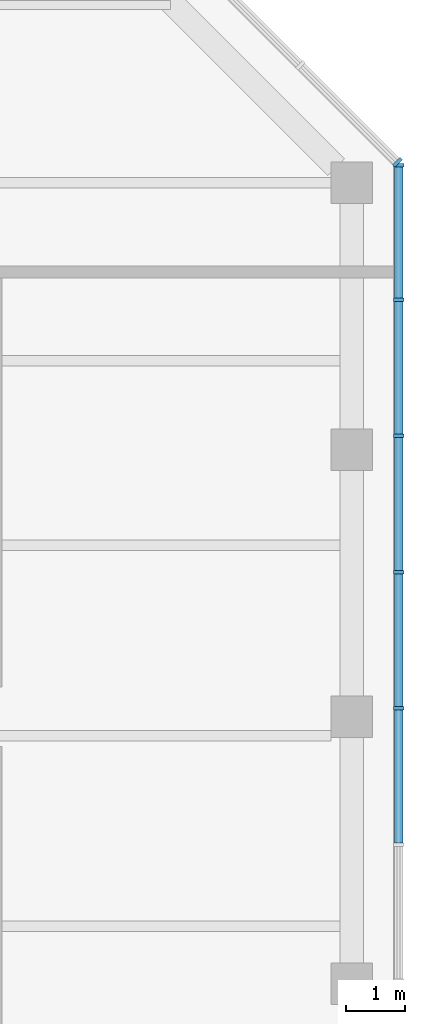
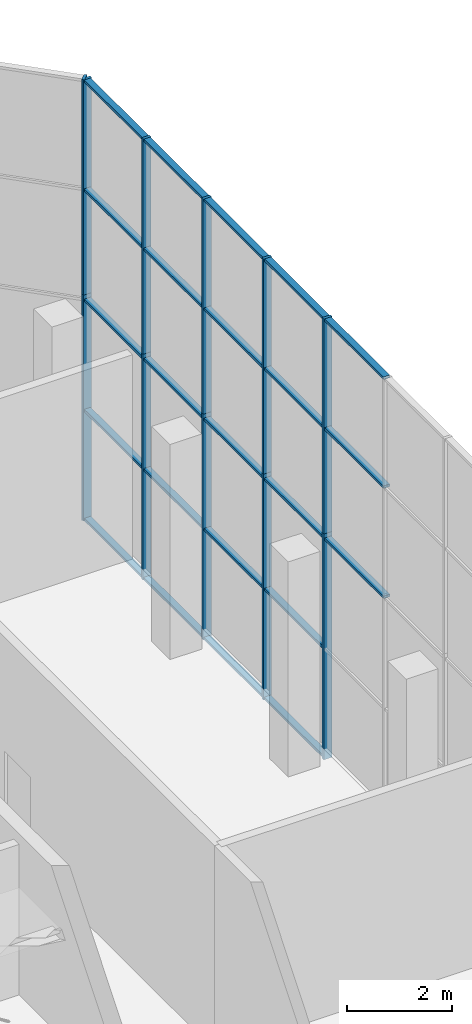
# One storey, part 11 of 19: 35 members, 2 elements without a shape of their own.
"""IFC4 building model written with IfcOpenShell, lengths in metres."""

from ifc_helpers import new_model, si_unit, direction, frame, origin, origin_2d, place, context, subcontext, project, spatial, rectangle, extrude, material, constituent, constituent_set, material_profile, profile_set, type_object, element, aggregate, save


model = new_model("IFC4")

# Units and contexts
model_context = context("Model", 3, precision=1e-05, world=origin(), true_north=direction((0.0, 1.0)))
body_context = subcontext(model_context, "Body", "Model", "MODEL_VIEW")
ifc_project = project(units=[si_unit("LENGTHUNIT", "METRE"), si_unit("AREAUNIT", "SQUARE_METRE"), si_unit("VOLUMEUNIT", "CUBIC_METRE"), si_unit("PLANEANGLEUNIT", "RADIAN"), si_unit("MASSUNIT", "GRAM", prefix="KILO")], contexts=[model_context])

# Site, building, storey
site_placement = place(None, origin())
site = spatial("IfcSite", under=ifc_project, at=site_placement, CompositionType="ELEMENT")
building_placement = place(site_placement, origin())
building = spatial("IfcBuilding", under=site, at=building_placement, Name="Quoin Convention Tower", CompositionType="ELEMENT")
storey_placement = place(building_placement, frame((0.0, 0.0, 263.699951171875)))
storey = spatial("IfcBuildingStorey", under=building, at=storey_placement, Name="L69", CompositionType="ELEMENT", Elevation=263.699951171875)

# Curtain wall, members
ifc_material_1 = material(Name="Aluminium", Category="aluminium")
ifc_constituent_1 = constituent(ifc_material_1, Name="Frame")
ifc_material_2 = material(Name="Insulated glass", Category="glass")
ifc_constituent_2 = constituent(ifc_material_2, Name="Glazing")
ifc_constituent_set = constituent_set(constituents=[ifc_constituent_1, ifc_constituent_2], Name="Aluminium")
curtain_wall_type = type_object("IfcCurtainWallType", Name="Lantern wall system", PredefinedType="NOTDEFINED", material=ifc_constituent_set)
curtain_wall_1_placement = place(storey_placement, origin())
curtain_wall_1 = element("IfcCurtainWall", 1, at=curtain_wall_1_placement, inside=storey, type_object=curtain_wall_type, Name="crn-LNW-76500_45000", PredefinedType="NOTDEFINED")
ifc_material_profile_1 = material_profile(ifc_material_1, rectangle(XDim=0.179931640625, YDim=0.06005859375, at=origin_2d()), Name="Lantern wall mullion 60x180")
ifc_profile_set_1 = profile_set([ifc_material_profile_1], Name="Aluminium")
member_type_1 = type_object("IfcMemberType", Name="Lantern wall mullion 60x180", PredefinedType="MULLION", material=ifc_profile_set_1)
member_1_placement = place(storey_placement, frame((77.2900390625, 67.64013671875, -0.25), z_axis=(0.0, 0.0, 1.0), x_axis=(-1.0, 0.0, 0.0)))
member_1 = element("IfcMember", 2, at=member_1_placement, type_object=member_type_1, Name="CW5 mullion 11", PredefinedType="MULLION", context=body_context, shape_type="SweptSolid", body=[
    extrude(rectangle(XDim=0.179931640625, YDim=0.06005859375, at=origin_2d()), origin(), (0.0, 0.0, 1.0), 5.25),
])
member_2_placement = place(storey_placement, frame((77.2900390625, 69.93701171875, -0.25), z_axis=(0.0, 0.0, 1.0), x_axis=(-1.0, 0.0, 0.0)))
member_2 = element("IfcMember", 3, at=member_2_placement, type_object=member_type_1, Name="CW5 mullion 12", PredefinedType="MULLION", context=body_context, shape_type="SweptSolid", body=[
    extrude(rectangle(XDim=0.179931640625, YDim=0.06005859375, at=origin_2d()), origin(), (0.0, 0.0, 1.0), 5.25),
])
member_3_placement = place(storey_placement, frame((77.2900390625, 72.233642578125, -0.25), z_axis=(0.0, 0.0, 1.0), x_axis=(-1.0, 0.0, 0.0)))
member_3 = element("IfcMember", 4, at=member_3_placement, type_object=member_type_1, Name="CW5 mullion 13", PredefinedType="MULLION", context=body_context, shape_type="SweptSolid", body=[
    extrude(rectangle(XDim=0.179931640625, YDim=0.06005859375, at=origin_2d()), origin(), (0.0, 0.0, 1.0), 5.25),
])
member_4_placement = place(storey_placement, frame((77.2900390625, 74.530517578125, -0.25), z_axis=(0.0, 0.0, 1.0), x_axis=(-1.0, 0.0, 0.0)))
member_4 = element("IfcMember", 5, at=member_4_placement, type_object=member_type_1, Name="CW5 mullion 14", PredefinedType="MULLION", context=body_context, shape_type="SweptSolid", body=[
    extrude(rectangle(XDim=0.179931640625, YDim=0.06005859375, at=origin_2d()), origin(), (0.0, 0.0, 1.0), 5.25),
])
member_5_placement = place(storey_placement, frame((77.2900390625, 76.797119140625, -0.25), z_axis=(0.0, 0.0, 1.0), x_axis=(-1.0, 0.0, 0.0)))
member_5 = element("IfcMember", 6, at=member_5_placement, type_object=member_type_1, Name="CW5 mullion 15", PredefinedType="MULLION", context=body_context, shape_type="SweptSolid", body=[
    extrude(rectangle(XDim=0.179931640625, YDim=0.06005859375, at=origin_2d()), origin(), (0.0, 0.0, 1.0), 5.25),
])
member_6_placement = place(storey_placement, frame((77.2900390625, 67.64013671875, 5.0), z_axis=(0.0, 0.0, 1.0), x_axis=(-1.0, 0.0, 0.0)))
member_6 = element("IfcMember", 7, at=member_6_placement, type_object=member_type_1, Name="CW5 mullion 11", PredefinedType="MULLION", context=body_context, shape_type="SweptSolid", body=[
    extrude(rectangle(XDim=0.179931640625, YDim=0.06005859375, at=origin_2d()), origin(), (0.0, 0.0, 1.0), 5.0),
])
member_7_placement = place(storey_placement, frame((77.2900390625, 69.93701171875, 5.0), z_axis=(0.0, 0.0, 1.0), x_axis=(-1.0, 0.0, 0.0)))
member_7 = element("IfcMember", 8, at=member_7_placement, type_object=member_type_1, Name="CW5 mullion 12", PredefinedType="MULLION", context=body_context, shape_type="SweptSolid", body=[
    extrude(rectangle(XDim=0.179931640625, YDim=0.06005859375, at=origin_2d()), origin(), (0.0, 0.0, 1.0), 5.0),
])
member_8_placement = place(storey_placement, frame((77.2900390625, 72.233642578125, 5.0), z_axis=(0.0, 0.0, 1.0), x_axis=(-1.0, 0.0, 0.0)))
member_8 = element("IfcMember", 9, at=member_8_placement, type_object=member_type_1, Name="CW5 mullion 13", PredefinedType="MULLION", context=body_context, shape_type="SweptSolid", body=[
    extrude(rectangle(XDim=0.179931640625, YDim=0.06005859375, at=origin_2d()), origin(), (0.0, 0.0, 1.0), 5.0),
])
member_9_placement = place(storey_placement, frame((77.2900390625, 74.530517578125, 5.0), z_axis=(0.0, 0.0, 1.0), x_axis=(-1.0, 0.0, 0.0)))
member_9 = element("IfcMember", 10, at=member_9_placement, type_object=member_type_1, Name="CW5 mullion 14", PredefinedType="MULLION", context=body_context, shape_type="SweptSolid", body=[
    extrude(rectangle(XDim=0.179931640625, YDim=0.06005859375, at=origin_2d()), origin(), (0.0, 0.0, 1.0), 5.0),
])
member_10_placement = place(storey_placement, frame((77.2900390625, 76.797119140625, 5.0), z_axis=(0.0, 0.0, 1.0), x_axis=(-1.0, 0.0, 0.0)))
member_10 = element("IfcMember", 11, at=member_10_placement, type_object=member_type_1, Name="CW5 mullion 15", PredefinedType="MULLION", context=body_context, shape_type="SweptSolid", body=[
    extrude(rectangle(XDim=0.179931640625, YDim=0.06005859375, at=origin_2d()), origin(), (0.0, 0.0, 1.0), 5.0),
])

curtain_wall_2_placement = place(storey_placement, origin())
curtain_wall_2 = element("IfcCurtainWall", 12, at=curtain_wall_2_placement, inside=storey, type_object=curtain_wall_type, Name="crn-LNW-76500_76500", PredefinedType="NOTDEFINED")
member_11_placement = place(storey_placement, frame((77.268798828125, 76.848388671875, -0.25), z_axis=(0.0, 0.0, 1.0), x_axis=(-0.707106781187, -0.707106781187, 0.0)))
member_11 = element("IfcMember", 13, at=member_11_placement, type_object=member_type_1, Name="CW5 mullion 1", PredefinedType="MULLION", context=body_context, shape_type="SweptSolid", body=[
    extrude(rectangle(XDim=0.179931640625, YDim=0.06005859375, at=origin_2d()), origin(), (0.0, 0.0, 1.0), 5.25),
])
member_12_placement = place(storey_placement, frame((77.268798828125, 76.848388671875, 5.0), z_axis=(0.0, 0.0, 1.0), x_axis=(-0.707106781187, -0.707106781187, 0.0)))
member_12 = element("IfcMember", 14, at=member_12_placement, type_object=member_type_1, Name="CW5 mullion 1", PredefinedType="MULLION", context=body_context, shape_type="SweptSolid", body=[
    extrude(rectangle(XDim=0.179931640625, YDim=0.06005859375, at=origin_2d()), origin(), (0.0, 0.0, 1.0), 5.0),
])
aggregate(curtain_wall_2, [member_11, member_12])

# Member
ifc_material_profile_2 = material_profile(ifc_material_1, rectangle(XDim=0.139892578125, YDim=0.06005859375, at=origin_2d()), Name="Lantern wall transom 60x140")
ifc_profile_set_2 = profile_set([ifc_material_profile_2], Name="Aluminium")
member_type_2 = type_object("IfcMemberType", Name="Lantern wall transom 60x140", PredefinedType="USERDEFINED", material=ifc_profile_set_2)
member_13_placement = place(storey_placement, frame((77.2900390625, 65.37353515625, 4.875), z_axis=(0.0, 1.0, 0.0), x_axis=(-1.0, 0.0, 0.0)))
member_13 = element("IfcMember", 15, at=member_13_placement, type_object=member_type_2, Name="CW5 transom 10.3", ObjectType="TRANSOM", PredefinedType="USERDEFINED", context=body_context, shape_type="SweptSolid", body=[
    extrude(rectangle(XDim=0.139892578125, YDim=0.06005859375, at=origin_2d()), origin(), (0.0, 0.0, 1.0), 2.236572265625),
])

member_14_placement = place(storey_placement, frame((77.2900390625, 65.37353515625, 7.4375), z_axis=(0.0, 1.0, 0.0), x_axis=(-1.0, 0.0, 0.0)))
member_14 = element("IfcMember", 16, at=member_14_placement, type_object=member_type_2, Name="CW5 transom 10.4", ObjectType="TRANSOM", PredefinedType="USERDEFINED", context=body_context, shape_type="SweptSolid", body=[
    extrude(rectangle(XDim=0.139892578125, YDim=0.06005859375, at=origin_2d()), origin(), (0.0, 0.0, 1.0), 2.236572265625),
])

member_15_placement = place(storey_placement, frame((77.2900390625, 65.37353515625, 9.969970703125), z_axis=(0.0, 1.0, 0.0), x_axis=(-1.0, 0.0, 0.0)))
member_15 = element("IfcMember", 17, at=member_15_placement, type_object=member_type_2, Name="CW5 transom 10.5", ObjectType="TRANSOM", PredefinedType="USERDEFINED", context=body_context, shape_type="SweptSolid", body=[
    extrude(rectangle(XDim=0.139892578125, YDim=0.06005859375, at=origin_2d()), origin(), (0.0, 0.0, 1.0), 2.236572265625),
])

member_16_placement = place(storey_placement, frame((77.2900390625, 67.670166015625, -0.219970703125), z_axis=(0.0, 1.0, 0.0), x_axis=(-1.0, 0.0, 0.0)))
member_16 = element("IfcMember", 18, at=member_16_placement, type_object=member_type_2, Name="CW5 transom 11.1", ObjectType="TRANSOM", PredefinedType="USERDEFINED", context=body_context, shape_type="SweptSolid", body=[
    extrude(rectangle(XDim=0.139892578125, YDim=0.06005859375, at=origin_2d()), origin(), (0.0, 0.0, 1.0), 2.23681640625),
])

member_17_placement = place(storey_placement, frame((77.2900390625, 67.670166015625, 2.3125), z_axis=(0.0, 1.0, 0.0), x_axis=(-1.0, 0.0, 0.0)))
member_17 = element("IfcMember", 19, at=member_17_placement, type_object=member_type_2, Name="CW5 transom 11.2", ObjectType="TRANSOM", PredefinedType="USERDEFINED", context=body_context, shape_type="SweptSolid", body=[
    extrude(rectangle(XDim=0.139892578125, YDim=0.06005859375, at=origin_2d()), origin(), (0.0, 0.0, 1.0), 2.23681640625),
])

member_18_placement = place(storey_placement, frame((77.2900390625, 67.670166015625, 4.875), z_axis=(0.0, 1.0, 0.0), x_axis=(-1.0, 0.0, 0.0)))
member_18 = element("IfcMember", 20, at=member_18_placement, type_object=member_type_2, Name="CW5 transom 11.3", ObjectType="TRANSOM", PredefinedType="USERDEFINED", context=body_context, shape_type="SweptSolid", body=[
    extrude(rectangle(XDim=0.139892578125, YDim=0.06005859375, at=origin_2d()), origin(), (0.0, 0.0, 1.0), 2.23681640625),
])

member_19_placement = place(storey_placement, frame((77.2900390625, 67.670166015625, 7.4375), z_axis=(0.0, 1.0, 0.0), x_axis=(-1.0, 0.0, 0.0)))
member_19 = element("IfcMember", 21, at=member_19_placement, type_object=member_type_2, Name="CW5 transom 11.4", ObjectType="TRANSOM", PredefinedType="USERDEFINED", context=body_context, shape_type="SweptSolid", body=[
    extrude(rectangle(XDim=0.139892578125, YDim=0.06005859375, at=origin_2d()), origin(), (0.0, 0.0, 1.0), 2.23681640625),
])

member_20_placement = place(storey_placement, frame((77.2900390625, 67.670166015625, 9.969970703125), z_axis=(0.0, 1.0, 0.0), x_axis=(-1.0, 0.0, 0.0)))
member_20 = element("IfcMember", 22, at=member_20_placement, type_object=member_type_2, Name="CW5 transom 11.5", ObjectType="TRANSOM", PredefinedType="USERDEFINED", context=body_context, shape_type="SweptSolid", body=[
    extrude(rectangle(XDim=0.139892578125, YDim=0.06005859375, at=origin_2d()), origin(), (0.0, 0.0, 1.0), 2.23681640625),
])

member_21_placement = place(storey_placement, frame((77.2900390625, 69.967041015625, -0.219970703125), z_axis=(0.0, 1.0, 0.0), x_axis=(-1.0, 0.0, 0.0)))
member_21 = element("IfcMember", 23, at=member_21_placement, type_object=member_type_2, Name="CW5 transom 12.1", ObjectType="TRANSOM", PredefinedType="USERDEFINED", context=body_context, shape_type="SweptSolid", body=[
    extrude(rectangle(XDim=0.139892578125, YDim=0.06005859375, at=origin_2d()), origin(), (0.0, 0.0, 1.0), 2.236572265625),
])

member_22_placement = place(storey_placement, frame((77.2900390625, 69.967041015625, 2.3125), z_axis=(0.0, 1.0, 0.0), x_axis=(-1.0, 0.0, 0.0)))
member_22 = element("IfcMember", 24, at=member_22_placement, type_object=member_type_2, Name="CW5 transom 12.2", ObjectType="TRANSOM", PredefinedType="USERDEFINED", context=body_context, shape_type="SweptSolid", body=[
    extrude(rectangle(XDim=0.139892578125, YDim=0.06005859375, at=origin_2d()), origin(), (0.0, 0.0, 1.0), 2.236572265625),
])

member_23_placement = place(storey_placement, frame((77.2900390625, 69.967041015625, 4.875), z_axis=(0.0, 1.0, 0.0), x_axis=(-1.0, 0.0, 0.0)))
member_23 = element("IfcMember", 25, at=member_23_placement, type_object=member_type_2, Name="CW5 transom 12.3", ObjectType="TRANSOM", PredefinedType="USERDEFINED", context=body_context, shape_type="SweptSolid", body=[
    extrude(rectangle(XDim=0.139892578125, YDim=0.06005859375, at=origin_2d()), origin(), (0.0, 0.0, 1.0), 2.236572265625),
])

member_24_placement = place(storey_placement, frame((77.2900390625, 69.967041015625, 7.4375), z_axis=(0.0, 1.0, 0.0), x_axis=(-1.0, 0.0, 0.0)))
member_24 = element("IfcMember", 26, at=member_24_placement, type_object=member_type_2, Name="CW5 transom 12.4", ObjectType="TRANSOM", PredefinedType="USERDEFINED", context=body_context, shape_type="SweptSolid", body=[
    extrude(rectangle(XDim=0.139892578125, YDim=0.06005859375, at=origin_2d()), origin(), (0.0, 0.0, 1.0), 2.236572265625),
])

member_25_placement = place(storey_placement, frame((77.2900390625, 69.967041015625, 9.969970703125), z_axis=(0.0, 1.0, 0.0), x_axis=(-1.0, 0.0, 0.0)))
member_25 = element("IfcMember", 27, at=member_25_placement, type_object=member_type_2, Name="CW5 transom 12.5", ObjectType="TRANSOM", PredefinedType="USERDEFINED", context=body_context, shape_type="SweptSolid", body=[
    extrude(rectangle(XDim=0.139892578125, YDim=0.06005859375, at=origin_2d()), origin(), (0.0, 0.0, 1.0), 2.236572265625),
])

member_26_placement = place(storey_placement, frame((77.2900390625, 72.263671875, -0.219970703125), z_axis=(0.0, 1.0, 0.0), x_axis=(-1.0, 0.0, 0.0)))
member_26 = element("IfcMember", 28, at=member_26_placement, type_object=member_type_2, Name="CW5 transom 13.1", ObjectType="TRANSOM", PredefinedType="USERDEFINED", context=body_context, shape_type="SweptSolid", body=[
    extrude(rectangle(XDim=0.139892578125, YDim=0.06005859375, at=origin_2d()), origin(), (0.0, 0.0, 1.0), 2.23681640625),
])

member_27_placement = place(storey_placement, frame((77.2900390625, 72.263671875, 2.3125), z_axis=(0.0, 1.0, 0.0), x_axis=(-1.0, 0.0, 0.0)))
member_27 = element("IfcMember", 29, at=member_27_placement, type_object=member_type_2, Name="CW5 transom 13.2", ObjectType="TRANSOM", PredefinedType="USERDEFINED", context=body_context, shape_type="SweptSolid", body=[
    extrude(rectangle(XDim=0.139892578125, YDim=0.06005859375, at=origin_2d()), origin(), (0.0, 0.0, 1.0), 2.23681640625),
])

member_28_placement = place(storey_placement, frame((77.2900390625, 72.263671875, 4.875), z_axis=(0.0, 1.0, 0.0), x_axis=(-1.0, 0.0, 0.0)))
member_28 = element("IfcMember", 30, at=member_28_placement, type_object=member_type_2, Name="CW5 transom 13.3", ObjectType="TRANSOM", PredefinedType="USERDEFINED", context=body_context, shape_type="SweptSolid", body=[
    extrude(rectangle(XDim=0.139892578125, YDim=0.06005859375, at=origin_2d()), origin(), (0.0, 0.0, 1.0), 2.23681640625),
])

member_29_placement = place(storey_placement, frame((77.2900390625, 72.263671875, 7.4375), z_axis=(0.0, 1.0, 0.0), x_axis=(-1.0, 0.0, 0.0)))
member_29 = element("IfcMember", 31, at=member_29_placement, type_object=member_type_2, Name="CW5 transom 13.4", ObjectType="TRANSOM", PredefinedType="USERDEFINED", context=body_context, shape_type="SweptSolid", body=[
    extrude(rectangle(XDim=0.139892578125, YDim=0.06005859375, at=origin_2d()), origin(), (0.0, 0.0, 1.0), 2.23681640625),
])

member_30_placement = place(storey_placement, frame((77.2900390625, 72.263671875, 9.969970703125), z_axis=(0.0, 1.0, 0.0), x_axis=(-1.0, 0.0, 0.0)))
member_30 = element("IfcMember", 32, at=member_30_placement, type_object=member_type_2, Name="CW5 transom 13.5", ObjectType="TRANSOM", PredefinedType="USERDEFINED", context=body_context, shape_type="SweptSolid", body=[
    extrude(rectangle(XDim=0.139892578125, YDim=0.06005859375, at=origin_2d()), origin(), (0.0, 0.0, 1.0), 2.23681640625),
])

member_31_placement = place(storey_placement, frame((77.2900390625, 74.560546875, -0.219970703125), z_axis=(0.0, 1.0, 0.0), x_axis=(-1.0, 0.0, 0.0)))
member_31 = element("IfcMember", 33, at=member_31_placement, type_object=member_type_2, Name="CW5 transom 14.1", ObjectType="TRANSOM", PredefinedType="USERDEFINED", context=body_context, shape_type="SweptSolid", body=[
    extrude(rectangle(XDim=0.139892578125, YDim=0.06005859375, at=origin_2d()), origin(), (0.0, 0.0, 1.0), 2.20654296875),
])

member_32_placement = place(storey_placement, frame((77.2900390625, 74.560546875, 2.3125), z_axis=(0.0, 1.0, 0.0), x_axis=(-1.0, 0.0, 0.0)))
member_32 = element("IfcMember", 34, at=member_32_placement, type_object=member_type_2, Name="CW5 transom 14.2", ObjectType="TRANSOM", PredefinedType="USERDEFINED", context=body_context, shape_type="SweptSolid", body=[
    extrude(rectangle(XDim=0.139892578125, YDim=0.06005859375, at=origin_2d()), origin(), (0.0, 0.0, 1.0), 2.20654296875),
])

member_33_placement = place(storey_placement, frame((77.2900390625, 74.560546875, 4.875), z_axis=(0.0, 1.0, 0.0), x_axis=(-1.0, 0.0, 0.0)))
member_33 = element("IfcMember", 35, at=member_33_placement, type_object=member_type_2, Name="CW5 transom 14.3", ObjectType="TRANSOM", PredefinedType="USERDEFINED", context=body_context, shape_type="SweptSolid", body=[
    extrude(rectangle(XDim=0.139892578125, YDim=0.06005859375, at=origin_2d()), origin(), (0.0, 0.0, 1.0), 2.20654296875),
])

member_34_placement = place(storey_placement, frame((77.2900390625, 74.560546875, 7.4375), z_axis=(0.0, 1.0, 0.0), x_axis=(-1.0, 0.0, 0.0)))
member_34 = element("IfcMember", 36, at=member_34_placement, type_object=member_type_2, Name="CW5 transom 14.4", ObjectType="TRANSOM", PredefinedType="USERDEFINED", context=body_context, shape_type="SweptSolid", body=[
    extrude(rectangle(XDim=0.139892578125, YDim=0.06005859375, at=origin_2d()), origin(), (0.0, 0.0, 1.0), 2.20654296875),
])

member_35_placement = place(storey_placement, frame((77.2900390625, 74.560546875, 9.969970703125), z_axis=(0.0, 1.0, 0.0), x_axis=(-1.0, 0.0, 0.0)))
member_35 = element("IfcMember", 37, at=member_35_placement, type_object=member_type_2, Name="CW5 transom 14.5", ObjectType="TRANSOM", PredefinedType="USERDEFINED", context=body_context, shape_type="SweptSolid", body=[
    extrude(rectangle(XDim=0.139892578125, YDim=0.06005859375, at=origin_2d()), origin(), (0.0, 0.0, 1.0), 2.20654296875),
])

aggregate(curtain_wall_1, [member_1, member_2, member_3, member_4, member_5, member_13, member_14, member_15, member_16, member_17, member_18, member_19, member_20, member_21, member_22, member_23, member_24, member_25, member_26, member_27, member_28, member_29, member_30, member_31, member_32, member_33, member_34, member_35, member_6, member_7, member_8, member_9, member_10])

save(model, "model.ifc")
